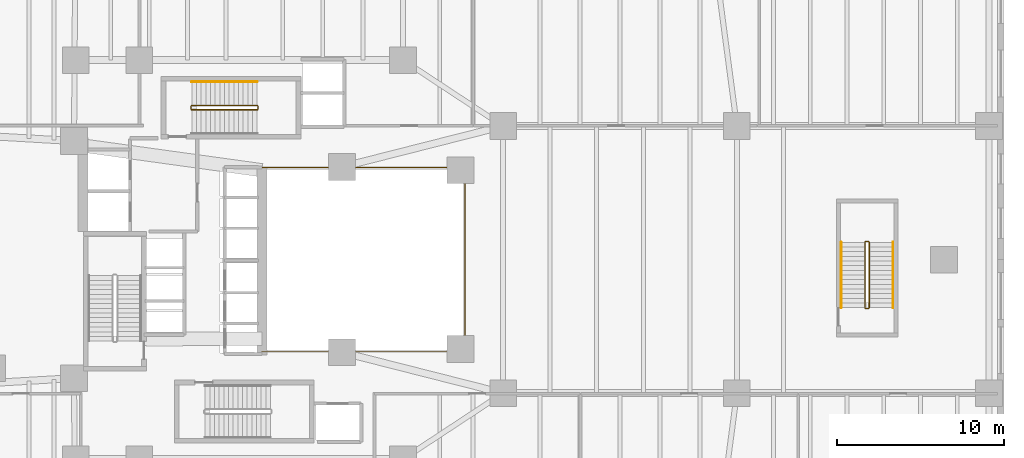
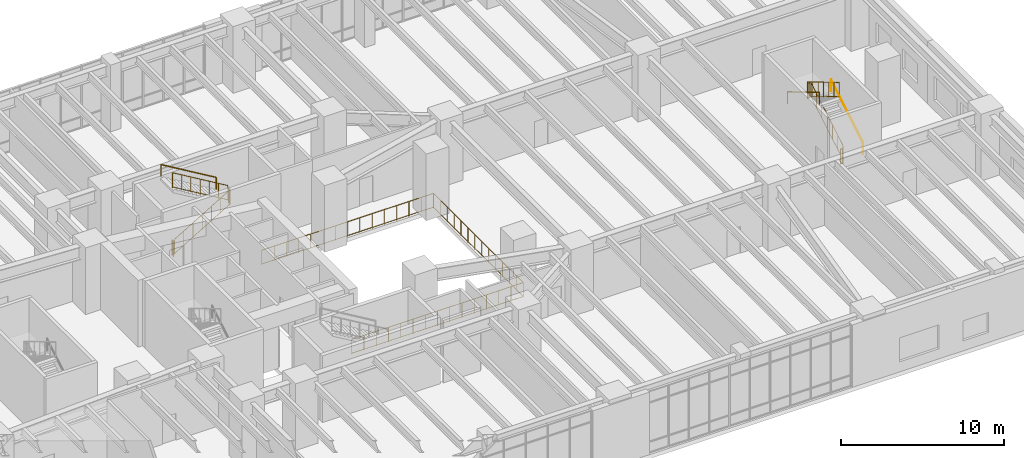
# One storey, part 26 of 26: 12 railings.
"""IFC4 building model written with IfcOpenShell, lengths in metres."""

from ifc_helpers import new_model, si_unit, direction, frame, origin, origin_2d, place, context, subcontext, project, spatial, circle, extrude, material, type_object, element, save


model = new_model("IFC4")

# Units and contexts
model_context = context("Model", 3, precision=1e-05, world=origin(), true_north=direction((0.0, 1.0)))
body_context = subcontext(model_context, "Body", "Model", "MODEL_VIEW")
ifc_project = project(units=[si_unit("LENGTHUNIT", "METRE"), si_unit("AREAUNIT", "SQUARE_METRE"), si_unit("VOLUMEUNIT", "CUBIC_METRE"), si_unit("PLANEANGLEUNIT", "RADIAN"), si_unit("MASSUNIT", "GRAM", prefix="KILO"), si_unit("THERMODYNAMICTEMPERATUREUNIT", "KELVIN"), si_unit("POWERUNIT", "WATT")], contexts=[model_context])

# Site, building, storey
site_placement = place(None, origin())
site = spatial("IfcSite", under=ifc_project, at=site_placement, CompositionType="ELEMENT")
building_placement = place(site_placement, origin())
building = spatial("IfcBuilding", under=site, at=building_placement, Name="Skarre Station Tower", CompositionType="ELEMENT")
storey_placement = place(building_placement, frame((0.0, 0.0, 6.0)))
storey = spatial("IfcBuildingStorey", under=building, at=storey_placement, Name="L02", CompositionType="ELEMENT", Elevation=6.0)

# Railings
ifc_material_1 = material(Name="Bronze Anodized Steel & Laminated Glass Balustrade", Category="steel")
railing_type_1 = type_object("IfcRailingType", Name="Atrium Void & Mezzanine Guard Balustrade 1120", PredefinedType="GUARDRAIL", material=ifc_material_1)
railing_1_placement = place(storey_placement, frame((27.550048828125, 18.47998046875, 0.0)))
element("IfcRailing", 1, at=railing_1_placement, inside=storey, type_object=railing_type_1, Name="L02 Atrium Void Guard Balustrade", PredefinedType="GUARDRAIL", context=body_context, shape_type="SweptSolid", body=[
    extrude(circle(Radius=0.02392578125, at=origin_2d()), frame((0.0, 0.0, 1.09619140625), z_axis=(1.0, 0.0, 0.0), x_axis=(0.0, 1.0, 0.0)), (0.0, 0.0, 1.0), 12.169921875),
    extrude(circle(Radius=0.02099609375, at=origin_2d()), frame((0.0, 0.0, 0.06005859375), z_axis=(1.0, 0.0, 0.0), x_axis=(0.0, 1.0, 0.0)), (0.0, 0.0, 1.0), 12.169921875),
    extrude(circle(Radius=0.02392578125, at=origin_2d()), frame((12.169921875, 0.0, 1.09619140625), z_axis=(0.0, 1.0, 0.0), x_axis=(-1.0, 0.0, 0.0)), (0.0, 0.0, 1.0), 11.0400390625),
    extrude(circle(Radius=0.02099609375, at=origin_2d()), frame((12.169921875, 0.0, 0.06005859375), z_axis=(0.0, 1.0, 0.0), x_axis=(-1.0, 0.0, 0.0)), (0.0, 0.0, 1.0), 11.0400390625),
    extrude(circle(Radius=0.02392578125, at=origin_2d()), frame((12.169921875, 11.0400390625, 1.09619140625), z_axis=(-1.0, 0.0, 0.0), x_axis=(0.0, -1.0, 0.0)), (0.0, 0.0, 1.0), 12.169921875),
    extrude(circle(Radius=0.02099609375, at=origin_2d()), frame((12.169921875, 11.0400390625, 0.06005859375), z_axis=(-1.0, 0.0, 0.0), x_axis=(0.0, -1.0, 0.0)), (0.0, 0.0, 1.0), 12.169921875),
    extrude(circle(Radius=0.02099609375, at=origin_2d()), origin(), (0.0, 0.0, 1.0), 1.072021484375),
    extrude(circle(Radius=0.02099609375, at=origin_2d()), frame((0.869384765625, 0.0, 0.0)), (0.0, 0.0, 1.0), 1.072021484375),
    extrude(circle(Radius=0.02099609375, at=origin_2d()), frame((1.738525390625, 0.0, 0.0)), (0.0, 0.0, 1.0), 1.072021484375),
    extrude(circle(Radius=0.02099609375, at=origin_2d()), frame((2.60791015625, 0.0, 0.0)), (0.0, 0.0, 1.0), 1.072021484375),
    extrude(circle(Radius=0.02099609375, at=origin_2d()), frame((3.47705078125, 0.0, 0.0)), (0.0, 0.0, 1.0), 1.072021484375),
    extrude(circle(Radius=0.02099609375, at=origin_2d()), frame((4.346435546875, 0.0, 0.0)), (0.0, 0.0, 1.0), 1.072021484375),
    extrude(circle(Radius=0.02099609375, at=origin_2d()), frame((5.215576171875, 0.0, 0.0)), (0.0, 0.0, 1.0), 1.072021484375),
    extrude(circle(Radius=0.02099609375, at=origin_2d()), frame((6.0849609375, 0.0, 0.0)), (0.0, 0.0, 1.0), 1.072021484375),
    extrude(circle(Radius=0.02099609375, at=origin_2d()), frame((6.954345703125, 0.0, 0.0)), (0.0, 0.0, 1.0), 1.072021484375),
    extrude(circle(Radius=0.02099609375, at=origin_2d()), frame((7.823486328125, 0.0, 0.0)), (0.0, 0.0, 1.0), 1.072021484375),
    extrude(circle(Radius=0.02099609375, at=origin_2d()), frame((8.69287109375, 0.0, 0.0)), (0.0, 0.0, 1.0), 1.072021484375),
    extrude(circle(Radius=0.02099609375, at=origin_2d()), frame((9.56201171875, 0.0, 0.0)), (0.0, 0.0, 1.0), 1.072021484375),
    extrude(circle(Radius=0.02099609375, at=origin_2d()), frame((10.431396484375, 0.0, 0.0)), (0.0, 0.0, 1.0), 1.072021484375),
    extrude(circle(Radius=0.02099609375, at=origin_2d()), frame((11.300537109375, 0.0, 0.0)), (0.0, 0.0, 1.0), 1.072021484375),
    extrude(circle(Radius=0.02099609375, at=origin_2d()), frame((12.169921875, 0.0, 0.0)), (0.0, 0.0, 1.0), 1.072021484375),
    extrude(circle(Radius=0.02099609375, at=origin_2d()), frame((12.169921875, 0.84912109375, 0.0)), (0.0, 0.0, 1.0), 1.072021484375),
    extrude(circle(Radius=0.02099609375, at=origin_2d()), frame((12.169921875, 1.698486328125, 0.0)), (0.0, 0.0, 1.0), 1.072021484375),
    extrude(circle(Radius=0.02099609375, at=origin_2d()), frame((12.169921875, 2.547607421875, 0.0)), (0.0, 0.0, 1.0), 1.072021484375),
    extrude(circle(Radius=0.02099609375, at=origin_2d()), frame((12.169921875, 3.39697265625, 0.0)), (0.0, 0.0, 1.0), 1.072021484375),
    extrude(circle(Radius=0.02099609375, at=origin_2d()), frame((12.169921875, 4.24609375, 0.0)), (0.0, 0.0, 1.0), 1.072021484375),
    extrude(circle(Radius=0.02099609375, at=origin_2d()), frame((12.169921875, 5.095458984375, 0.0)), (0.0, 0.0, 1.0), 1.072021484375),
    extrude(circle(Radius=0.02099609375, at=origin_2d()), frame((12.169921875, 5.944580078125, 0.0)), (0.0, 0.0, 1.0), 1.072021484375),
    extrude(circle(Radius=0.02099609375, at=origin_2d()), frame((12.169921875, 6.7939453125, 0.0)), (0.0, 0.0, 1.0), 1.072021484375),
    extrude(circle(Radius=0.02099609375, at=origin_2d()), frame((12.169921875, 7.64306640625, 0.0)), (0.0, 0.0, 1.0), 1.072021484375),
    extrude(circle(Radius=0.02099609375, at=origin_2d()), frame((12.169921875, 8.492431640625, 0.0)), (0.0, 0.0, 1.0), 1.072021484375),
    extrude(circle(Radius=0.02099609375, at=origin_2d()), frame((12.169921875, 9.341552734375, 0.0)), (0.0, 0.0, 1.0), 1.072021484375),
    extrude(circle(Radius=0.02099609375, at=origin_2d()), frame((12.169921875, 10.19091796875, 0.0)), (0.0, 0.0, 1.0), 1.072021484375),
    extrude(circle(Radius=0.02099609375, at=origin_2d()), frame((12.169921875, 11.0400390625, 0.0)), (0.0, 0.0, 1.0), 1.072021484375),
    extrude(circle(Radius=0.02099609375, at=origin_2d()), frame((11.300537109375, 11.0400390625, 0.0)), (0.0, 0.0, 1.0), 1.072021484375),
    extrude(circle(Radius=0.02099609375, at=origin_2d()), frame((10.431396484375, 11.0400390625, 0.0)), (0.0, 0.0, 1.0), 1.072021484375),
    extrude(circle(Radius=0.02099609375, at=origin_2d()), frame((9.56201171875, 11.0400390625, 0.0)), (0.0, 0.0, 1.0), 1.072021484375),
    extrude(circle(Radius=0.02099609375, at=origin_2d()), frame((8.69287109375, 11.0400390625, 0.0)), (0.0, 0.0, 1.0), 1.072021484375),
    extrude(circle(Radius=0.02099609375, at=origin_2d()), frame((7.823486328125, 11.0400390625, 0.0)), (0.0, 0.0, 1.0), 1.072021484375),
    extrude(circle(Radius=0.02099609375, at=origin_2d()), frame((6.954345703125, 11.0400390625, 0.0)), (0.0, 0.0, 1.0), 1.072021484375),
    extrude(circle(Radius=0.02099609375, at=origin_2d()), frame((6.0849609375, 11.0400390625, 0.0)), (0.0, 0.0, 1.0), 1.072021484375),
    extrude(circle(Radius=0.02099609375, at=origin_2d()), frame((5.215576171875, 11.0400390625, 0.0)), (0.0, 0.0, 1.0), 1.072021484375),
    extrude(circle(Radius=0.02099609375, at=origin_2d()), frame((4.346435546875, 11.0400390625, 0.0)), (0.0, 0.0, 1.0), 1.072021484375),
    extrude(circle(Radius=0.02099609375, at=origin_2d()), frame((3.47705078125, 11.0400390625, 0.0)), (0.0, 0.0, 1.0), 1.072021484375),
    extrude(circle(Radius=0.02099609375, at=origin_2d()), frame((2.60791015625, 11.0400390625, 0.0)), (0.0, 0.0, 1.0), 1.072021484375),
    extrude(circle(Radius=0.02099609375, at=origin_2d()), frame((1.738525390625, 11.0400390625, 0.0)), (0.0, 0.0, 1.0), 1.072021484375),
    extrude(circle(Radius=0.02099609375, at=origin_2d()), frame((0.869384765625, 11.0400390625, 0.0)), (0.0, 0.0, 1.0), 1.072021484375),
    extrude(circle(Radius=0.02099609375, at=origin_2d()), frame((0.0, 11.0400390625, 0.0)), (0.0, 0.0, 1.0), 1.072021484375),
])
ifc_material_2 = material(Name="Powder-Coated Tubular Steel", Category="steel")
railing_type_2 = type_object("IfcRailingType", Name="Painted Steel Ramp & Stair Handrail 920", PredefinedType="HANDRAIL", material=ifc_material_2)
railing_2_placement = place(storey_placement, frame((27.27001953125, 34.64990234375, 2.666748046875)))
element("IfcRailing", 2, at=railing_2_placement, inside=storey, type_object=railing_type_2, Name="L02 ST-3 stair handrail 2", PredefinedType="HANDRAIL", context=body_context, shape_type="SweptSolid", body=[
    extrude(circle(Radius=0.02392578125, at=origin_2d()), frame((0.0, 0.0, 0.8759765625), z_axis=(-0.859296244711, 0.0, 0.511478214419), x_axis=(0.0, -1.0, 0.0)), (0.0, 0.0, 1.0), 4.561767578125),
    extrude(circle(Radius=0.02099609375, at=origin_2d()), origin(), (0.0, 0.0, 1.0), 0.851806640625),
    extrude(circle(Radius=0.02099609375, at=origin_2d()), frame((-3.919921875, 0.0, 2.333251953125)), (0.0, 0.0, 1.0), 0.851806640625),
])
railing_3_placement = place(storey_placement, frame((65.35009765625, 21.1201171875, 0.166748046875)))
element("IfcRailing", 3, at=railing_3_placement, inside=storey, type_object=railing_type_2, Name="L02 ST-5 stair handrail 1", PredefinedType="HANDRAIL", context=body_context, shape_type="SweptSolid", body=[
    extrude(circle(Radius=0.02392578125, at=origin_2d()), frame((0.0, 0.0, 0.8759765625), z_axis=(0.0, 0.859296244711, 0.511478214419), x_axis=(-1.0, 0.0, 0.0)), (0.0, 0.0, 1.0), 4.561767578125),
    extrude(circle(Radius=0.02099609375, at=origin_2d()), origin(), (0.0, 0.0, 1.0), 0.851806640625),
    extrude(circle(Radius=0.02099609375, at=origin_2d()), frame((0.0, 3.919921875, 2.333251953125)), (0.0, 0.0, 1.0), 0.851806640625),
])
railing_4_placement = place(storey_placement, frame((62.25, 25.0400390625, 2.666748046875)))
element("IfcRailing", 4, at=railing_4_placement, inside=storey, type_object=railing_type_2, Name="L02 ST-5 stair handrail 2", PredefinedType="HANDRAIL", context=body_context, shape_type="SweptSolid", body=[
    extrude(circle(Radius=0.02392578125, at=origin_2d()), frame((0.0, 0.0, 0.8759765625), z_axis=(0.0, -0.859296244711, 0.511478214419), x_axis=(1.0, 0.0, 0.0)), (0.0, 0.0, 1.0), 4.561767578125),
    extrude(circle(Radius=0.02099609375, at=origin_2d()), origin(), (0.0, 0.0, 1.0), 0.851806640625),
    extrude(circle(Radius=0.02099609375, at=origin_2d()), frame((0.0, -3.919921875, 2.333251953125)), (0.0, 0.0, 1.0), 0.851806640625),
])
railing_type_3 = type_object("IfcRailingType", Name="Painted Steel Stairwell Guardrail 1100", PredefinedType="GUARDRAIL", material=ifc_material_2)
railing_5_placement = place(storey_placement, frame((23.35009765625, 32.969970703125, 0.166748046875)))
element("IfcRailing", 5, at=railing_5_placement, inside=storey, type_object=railing_type_3, Name="L02 ST-3 stair guard 1", PredefinedType="GUARDRAIL", context=body_context, shape_type="SweptSolid", body=[
    extrude(circle(Radius=0.02392578125, at=origin_2d()), frame((0.0, 0.0, 1.1259765625), z_axis=(0.859296244711, 0.0, 0.511478214419), x_axis=(0.0, 1.0, 0.0)), (0.0, 0.0, 1.0), 4.561767578125),
    extrude(circle(Radius=0.02099609375, at=origin_2d()), frame((0.0, 0.0, 0.06005859375), z_axis=(0.859296244711, 0.0, 0.511478214419), x_axis=(0.0, 1.0, 0.0)), (0.0, 0.0, 1.0), 4.561767578125),
    extrude(circle(Radius=0.02099609375, at=origin_2d()), origin(), (0.0, 0.0, 1.0), 1.101806640625),
    extrude(circle(Radius=0.02099609375, at=origin_2d()), frame((0.6533203125, 0.0, 0.388916015625)), (0.0, 0.0, 1.0), 1.101806640625),
    extrude(circle(Radius=0.02099609375, at=origin_2d()), frame((1.306640625, 0.0, 0.77783203125)), (0.0, 0.0, 1.0), 1.101806640625),
    extrude(circle(Radius=0.02099609375, at=origin_2d()), frame((1.9599609375, 0.0, 1.16650390625)), (0.0, 0.0, 1.0), 1.101806640625),
    extrude(circle(Radius=0.02099609375, at=origin_2d()), frame((2.61328125, 0.0, 1.555419921875)), (0.0, 0.0, 1.0), 1.101806640625),
    extrude(circle(Radius=0.02099609375, at=origin_2d()), frame((3.2666015625, 0.0, 1.9443359375)), (0.0, 0.0, 1.0), 1.101806640625),
    extrude(circle(Radius=0.02099609375, at=origin_2d()), frame((3.919921875, 0.0, 2.333251953125)), (0.0, 0.0, 1.0), 1.101806640625),
])
railing_6_placement = place(storey_placement, frame((27.320068359375, 33.02001953125, 2.5)))
element("IfcRailing", 6, at=railing_6_placement, inside=storey, type_object=railing_type_3, Name="L02 ST-3 stair guard 2", PredefinedType="GUARDRAIL", context=body_context, shape_type="SweptSolid", body=[
    extrude(circle(Radius=0.02392578125, at=origin_2d()), frame((0.0, 0.0, 1.1259765625), z_axis=(0.0, 1.0, 0.0), x_axis=(-1.0, 0.0, 0.0)), (0.0, 0.0, 1.0), 0.159912109375),
    extrude(circle(Radius=0.02099609375, at=origin_2d()), frame((0.0, 0.0, 0.06005859375), z_axis=(0.0, 1.0, 0.0), x_axis=(-1.0, 0.0, 0.0)), (0.0, 0.0, 1.0), 0.159912109375),
    extrude(circle(Radius=0.02099609375, at=origin_2d()), origin(), (0.0, 0.0, 1.0), 1.101806640625),
    extrude(circle(Radius=0.02099609375, at=origin_2d()), frame((0.0, 0.159912109375, 0.0)), (0.0, 0.0, 1.0), 1.101806640625),
])
railing_7_placement = place(storey_placement, frame((27.27001953125, 33.22998046875, 2.666748046875)))
element("IfcRailing", 7, at=railing_7_placement, inside=storey, type_object=railing_type_3, Name="L02 ST-3 stair guard 3", PredefinedType="GUARDRAIL", context=body_context, shape_type="SweptSolid", body=[
    extrude(circle(Radius=0.02392578125, at=origin_2d()), frame((0.0, 0.0, 1.1259765625), z_axis=(-0.859296244711, 0.0, 0.511478214419), x_axis=(0.0, -1.0, 0.0)), (0.0, 0.0, 1.0), 4.561767578125),
    extrude(circle(Radius=0.02099609375, at=origin_2d()), frame((0.0, 0.0, 0.06005859375), z_axis=(-0.859296244711, 0.0, 0.511478214419), x_axis=(0.0, -1.0, 0.0)), (0.0, 0.0, 1.0), 4.561767578125),
    extrude(circle(Radius=0.02099609375, at=origin_2d()), origin(), (0.0, 0.0, 1.0), 1.101806640625),
    extrude(circle(Radius=0.02099609375, at=origin_2d()), frame((-0.6533203125, 0.0, 0.388916015625)), (0.0, 0.0, 1.0), 1.101806640625),
    extrude(circle(Radius=0.02099609375, at=origin_2d()), frame((-1.306640625, 0.0, 0.77783203125)), (0.0, 0.0, 1.0), 1.101806640625),
    extrude(circle(Radius=0.02099609375, at=origin_2d()), frame((-1.9599609375, 0.0, 1.16650390625)), (0.0, 0.0, 1.0), 1.101806640625),
    extrude(circle(Radius=0.02099609375, at=origin_2d()), frame((-2.61328125, 0.0, 1.555419921875)), (0.0, 0.0, 1.0), 1.101806640625),
    extrude(circle(Radius=0.02099609375, at=origin_2d()), frame((-3.2666015625, 0.0, 1.9443359375)), (0.0, 0.0, 1.0), 1.101806640625),
    extrude(circle(Radius=0.02099609375, at=origin_2d()), frame((-3.919921875, 0.0, 2.333251953125)), (0.0, 0.0, 1.0), 1.101806640625),
])
railing_8_placement = place(storey_placement, frame((23.300048828125, 33.02001953125, 0.0)))
element("IfcRailing", 8, at=railing_8_placement, inside=storey, type_object=railing_type_3, Name="L02 ST-3 stair guard 4", PredefinedType="GUARDRAIL", context=body_context, shape_type="SweptSolid", body=[
    extrude(circle(Radius=0.02392578125, at=origin_2d()), frame((0.0, 0.0, 1.1259765625), z_axis=(0.0, 1.0, 0.0), x_axis=(-1.0, 0.0, 0.0)), (0.0, 0.0, 1.0), 0.159912109375),
    extrude(circle(Radius=0.02099609375, at=origin_2d()), frame((0.0, 0.0, 0.06005859375), z_axis=(0.0, 1.0, 0.0), x_axis=(-1.0, 0.0, 0.0)), (0.0, 0.0, 1.0), 0.159912109375),
    extrude(circle(Radius=0.02099609375, at=origin_2d()), origin(), (0.0, 0.0, 1.0), 1.101806640625),
    extrude(circle(Radius=0.02099609375, at=origin_2d()), frame((0.0, 0.159912109375, 0.0)), (0.0, 0.0, 1.0), 1.101806640625),
])
railing_9_placement = place(storey_placement, frame((63.929931640625, 21.1201171875, 0.166748046875)))
element("IfcRailing", 9, at=railing_9_placement, inside=storey, type_object=railing_type_3, Name="L02 ST-5 stair guard 1", PredefinedType="GUARDRAIL", context=body_context, shape_type="SweptSolid", body=[
    extrude(circle(Radius=0.02392578125, at=origin_2d()), frame((0.0, 0.0, 1.1259765625), z_axis=(0.0, 0.859296244711, 0.511478214419), x_axis=(-1.0, 0.0, 0.0)), (0.0, 0.0, 1.0), 4.561767578125),
    extrude(circle(Radius=0.02099609375, at=origin_2d()), frame((0.0, 0.0, 0.06005859375), z_axis=(0.0, 0.859296244711, 0.511478214419), x_axis=(-1.0, 0.0, 0.0)), (0.0, 0.0, 1.0), 4.561767578125),
    extrude(circle(Radius=0.02099609375, at=origin_2d()), origin(), (0.0, 0.0, 1.0), 1.101806640625),
    extrude(circle(Radius=0.02099609375, at=origin_2d()), frame((0.0, 0.6533203125, 0.388916015625)), (0.0, 0.0, 1.0), 1.101806640625),
    extrude(circle(Radius=0.02099609375, at=origin_2d()), frame((0.0, 1.306640625, 0.77783203125)), (0.0, 0.0, 1.0), 1.101806640625),
    extrude(circle(Radius=0.02099609375, at=origin_2d()), frame((0.0, 1.9599609375, 1.16650390625)), (0.0, 0.0, 1.0), 1.101806640625),
    extrude(circle(Radius=0.02099609375, at=origin_2d()), frame((0.0, 2.61328125, 1.555419921875)), (0.0, 0.0, 1.0), 1.101806640625),
    extrude(circle(Radius=0.02099609375, at=origin_2d()), frame((0.0, 3.2666015625, 1.9443359375)), (0.0, 0.0, 1.0), 1.101806640625),
    extrude(circle(Radius=0.02099609375, at=origin_2d()), frame((0.0, 3.919921875, 2.333251953125)), (0.0, 0.0, 1.0), 1.101806640625),
])
railing_10_placement = place(storey_placement, frame((63.8798828125, 25.090087890625, 2.5)))
element("IfcRailing", 10, at=railing_10_placement, inside=storey, type_object=railing_type_3, Name="L02 ST-5 stair guard 2", PredefinedType="GUARDRAIL", context=body_context, shape_type="SweptSolid", body=[
    extrude(circle(Radius=0.02392578125, at=origin_2d()), frame((0.0, 0.0, 1.1259765625), z_axis=(-1.0, 0.0, 0.0), x_axis=(0.0, -1.0, 0.0)), (0.0, 0.0, 1.0), 0.159912109375),
    extrude(circle(Radius=0.02099609375, at=origin_2d()), frame((0.0, 0.0, 0.06005859375), z_axis=(-1.0, 0.0, 0.0), x_axis=(0.0, -1.0, 0.0)), (0.0, 0.0, 1.0), 0.159912109375),
    extrude(circle(Radius=0.02099609375, at=origin_2d()), origin(), (0.0, 0.0, 1.0), 1.101806640625),
    extrude(circle(Radius=0.02099609375, at=origin_2d()), frame((-0.159912109375, 0.0, 0.0)), (0.0, 0.0, 1.0), 1.101806640625),
])
railing_11_placement = place(storey_placement, frame((63.669921875, 25.0400390625, 2.666748046875)))
element("IfcRailing", 11, at=railing_11_placement, inside=storey, type_object=railing_type_3, Name="L02 ST-5 stair guard 3", PredefinedType="GUARDRAIL", context=body_context, shape_type="SweptSolid", body=[
    extrude(circle(Radius=0.02392578125, at=origin_2d()), frame((0.0, 0.0, 1.1259765625), z_axis=(0.0, -0.859296244711, 0.511478214419), x_axis=(1.0, 0.0, 0.0)), (0.0, 0.0, 1.0), 4.561767578125),
    extrude(circle(Radius=0.02099609375, at=origin_2d()), frame((0.0, 0.0, 0.06005859375), z_axis=(0.0, -0.859296244711, 0.511478214419), x_axis=(1.0, 0.0, 0.0)), (0.0, 0.0, 1.0), 4.561767578125),
    extrude(circle(Radius=0.02099609375, at=origin_2d()), origin(), (0.0, 0.0, 1.0), 1.101806640625),
    extrude(circle(Radius=0.02099609375, at=origin_2d()), frame((0.0, -0.6533203125, 0.388916015625)), (0.0, 0.0, 1.0), 1.101806640625),
    extrude(circle(Radius=0.02099609375, at=origin_2d()), frame((0.0, -1.306640625, 0.77783203125)), (0.0, 0.0, 1.0), 1.101806640625),
    extrude(circle(Radius=0.02099609375, at=origin_2d()), frame((0.0, -1.9599609375, 1.16650390625)), (0.0, 0.0, 1.0), 1.101806640625),
    extrude(circle(Radius=0.02099609375, at=origin_2d()), frame((0.0, -2.61328125, 1.555419921875)), (0.0, 0.0, 1.0), 1.101806640625),
    extrude(circle(Radius=0.02099609375, at=origin_2d()), frame((0.0, -3.2666015625, 1.9443359375)), (0.0, 0.0, 1.0), 1.101806640625),
    extrude(circle(Radius=0.02099609375, at=origin_2d()), frame((0.0, -3.919921875, 2.333251953125)), (0.0, 0.0, 1.0), 1.101806640625),
])
railing_12_placement = place(storey_placement, frame((63.8798828125, 21.070068359375, 0.0)))
element("IfcRailing", 12, at=railing_12_placement, inside=storey, type_object=railing_type_3, Name="L02 ST-5 stair guard 4", PredefinedType="GUARDRAIL", context=body_context, shape_type="SweptSolid", body=[
    extrude(circle(Radius=0.02392578125, at=origin_2d()), frame((0.0, 0.0, 1.1259765625), z_axis=(-1.0, 0.0, 0.0), x_axis=(0.0, -1.0, 0.0)), (0.0, 0.0, 1.0), 0.159912109375),
    extrude(circle(Radius=0.02099609375, at=origin_2d()), frame((0.0, 0.0, 0.06005859375), z_axis=(-1.0, 0.0, 0.0), x_axis=(0.0, -1.0, 0.0)), (0.0, 0.0, 1.0), 0.159912109375),
    extrude(circle(Radius=0.02099609375, at=origin_2d()), origin(), (0.0, 0.0, 1.0), 1.101806640625),
    extrude(circle(Radius=0.02099609375, at=origin_2d()), frame((-0.159912109375, 0.0, 0.0)), (0.0, 0.0, 1.0), 1.101806640625),
])

save(model, "model.ifc")
